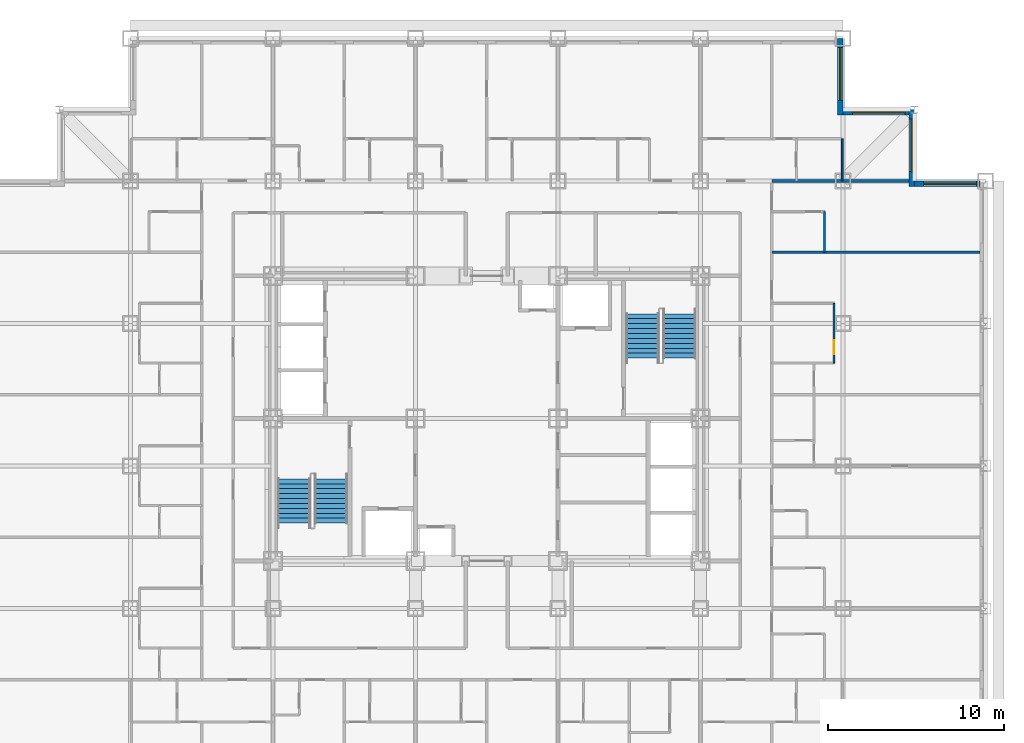
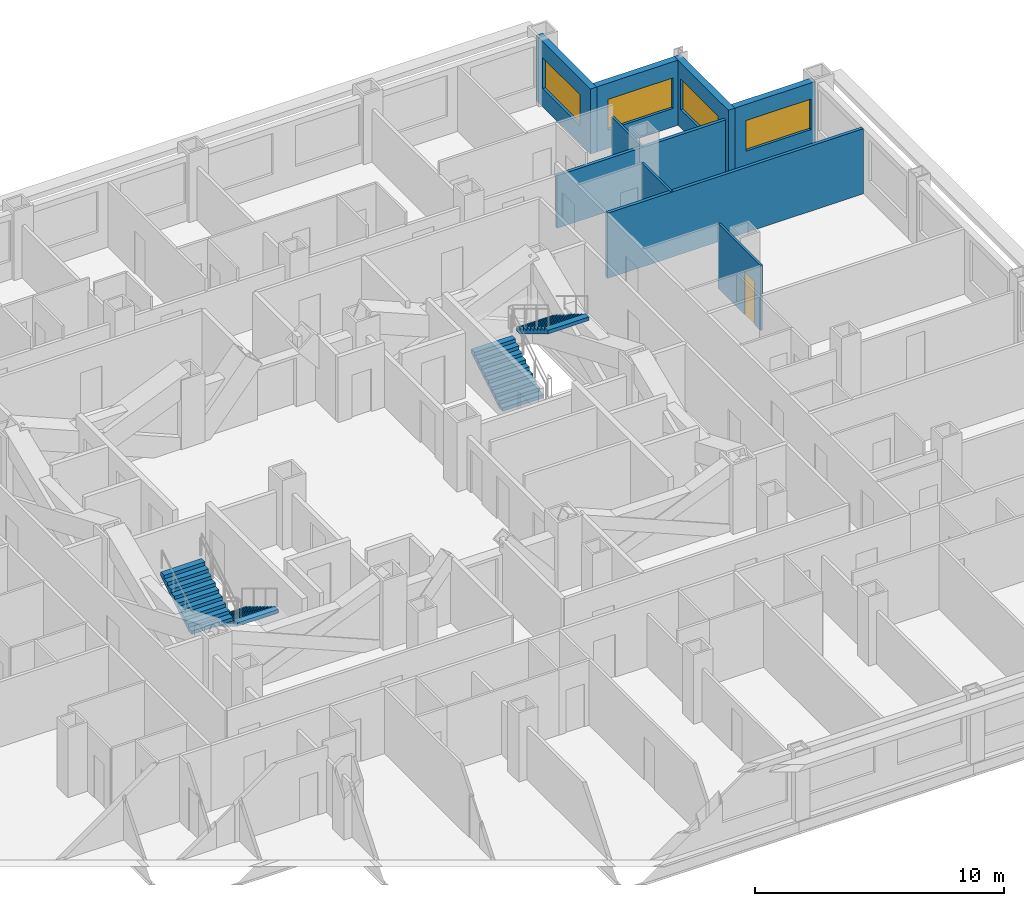
# One storey, part 11 of 12: 9 walls, 4 stair flights, 4 windows, 1 door, 5 openings, 2 elements without a shape of their own.
"""IFC4 building model written with IfcOpenShell, lengths in metres."""

from ifc_helpers import new_model, si_unit, direction, frame, frame_2d, origin, place, context, subcontext, project, spatial, rectangle, extrude, polygons, source, transform, mapped, material, layer, layer_set, type_object, element, fill, aggregate, save


model = new_model("IFC4")

# Units and contexts
model_context = context("Model", 3, precision=1e-05, world=origin(), true_north=direction((0.0, 1.0)))
body_context = subcontext(model_context, "Body", "Model", "MODEL_VIEW")
ifc_project = project(units=[si_unit("LENGTHUNIT", "METRE"), si_unit("AREAUNIT", "SQUARE_METRE"), si_unit("VOLUMEUNIT", "CUBIC_METRE"), si_unit("PLANEANGLEUNIT", "RADIAN"), si_unit("MASSUNIT", "GRAM", prefix="KILO")], contexts=[model_context])

# Site, building, storey
site_placement = place(None, origin())
site = spatial("IfcSite", under=ifc_project, at=site_placement, CompositionType="ELEMENT")
building_placement = place(site_placement, origin())
building = spatial("IfcBuilding", under=site, at=building_placement, Name="Kopane Lantern Tower", CompositionType="ELEMENT")
storey_placement = place(building_placement, frame((0.0, 0.0, 117.0)))
storey = spatial("IfcBuildingStorey", under=building, at=storey_placement, Name="L29", CompositionType="ELEMENT", Elevation=117.0)

# Wall, opening, door
ifc_material_1 = material(Name="Moisture-resistant board on steel studs", Category="steel")
ifc_layer_1 = layer(ifc_material_1, 0.10009765625)
ifc_layer_set_1 = layer_set([ifc_layer_1], Name="BATHROOM WALL 100")
wall_type_1 = type_object("IfcWallType", Name="BATHROOM WALL 100", PredefinedType="PARTITIONING", material=ifc_layer_set_1)
wall_1_placement = place(storey_placement, frame((48.090087890625, 35.550048828125, 0.0), z_axis=(0.0, 0.0, 1.0), x_axis=(0.0, 1.0, 0.0)))
wall_1 = element("IfcWall", 1, at=wall_1_placement, inside=storey, type_object=wall_type_1, Name="Bathroom Wall 100 L29", PredefinedType="PARTITIONING", context=body_context, shape_type="SweptSolid", body=[
    extrude(rectangle(XDim=3.39990234375, YDim=0.10009765625, at=frame_2d((1.699951171875, 0.0))), origin(), (0.0, 0.0, 1.0), 3.18994140625),
])
opening_1_placement = place(wall_1_placement, frame((0.5, 0.0, 0.0)))
opening_1 = element("IfcOpeningElement", 2, at=opening_1_placement, cuts=wall_1, Name="Opening L29-054", PredefinedType="OPENING", context=body_context, shape_type="SweptSolid", body=[
    extrude(rectangle(XDim=0.800048828125, YDim=2.10009765625, at=frame_2d((0.39990234375, 1.050048828125))), frame((0.0, 0.06005859375, 0.0), z_axis=(0.0, -1.0, 0.0), x_axis=(1.0, 0.0, 0.0)), (0.0, 0.0, 1.0), 0.1201171875),
])
ifc_material_2 = material(Name="Timber door set", Category="wood")
door_type = type_object("IfcDoorType", Name="DOOR D2 800x2100", OperationType="SINGLE_SWING_LEFT", PredefinedType="DOOR", material=ifc_material_2)
door_placement = place(opening_1_placement, origin())
door = element("IfcDoor", 3, at=door_placement, inside=storey, type_object=door_type, Name="Door L29-054", OperationType="SINGLE_SWING_LEFT", OverallHeight=2.10009765625, OverallWidth=0.800048828125, PredefinedType="DOOR", context=body_context, shape_type="SweptSolid", body=[
    extrude(rectangle(XDim=0.800048828125, YDim=2.10009765625, at=frame_2d((0.39990234375, 1.050048828125))), frame((0.0, 0.02490234375, 0.0), z_axis=(0.0, -1.0, 0.0), x_axis=(1.0, 0.0, 0.0)), (0.0, 0.0, 1.0), 0.050048828125),
])
fill(opening_1, door)

# Walls
wall_2_placement = place(storey_placement, frame((47.550048828125, 41.85009765625, 0.0), z_axis=(0.0, 0.0, 1.0), x_axis=(0.0, 1.0, 0.0)))
element("IfcWall", 4, at=wall_2_placement, inside=storey, type_object=wall_type_1, Name="Bathroom Wall 100 L29", PredefinedType="PARTITIONING", context=body_context, shape_type="SweptSolid", body=[
    extrude(rectangle(XDim=2.2998046875, YDim=0.10009765625, at=frame_2d((1.14990234375, 0.0))), origin(), (0.0, 0.0, 1.0), 3.18994140625),
])
wall_3_placement = place(storey_placement, frame((48.550048828125, 45.89990234375, 0.0), z_axis=(0.0, 0.0, 1.0), x_axis=(0.0, 1.0, 0.0)))
element("IfcWall", 5, at=wall_3_placement, inside=storey, type_object=wall_type_1, Name="Bathroom Wall 100 L29", PredefinedType="PARTITIONING", context=body_context, shape_type="SweptSolid", body=[
    extrude(rectangle(XDim=2.400146484375, YDim=0.10009765625, at=frame_2d((1.2001953125, 0.0))), origin(), (0.0, 0.0, 1.0), 2.577880859375),
])
ifc_material_3 = material(Name="Gypsum board on steel studs", Category="steel")
ifc_layer_2 = layer(ifc_material_3, 0.14990234375)
ifc_layer_set_2 = layer_set([ifc_layer_2], Name="DEMISING WALL 150 EI 60")
wall_type_2 = type_object("IfcWallType", Name="DEMISING WALL 150 EI 60", PredefinedType="PARTITIONING", material=ifc_layer_set_2)
wall_4_placement = place(storey_placement, frame((44.550048828125, 41.85009765625, 0.0), z_axis=(0.0, 0.0, 1.0), x_axis=(1.0, 0.0, 0.0)))
element("IfcWall", 6, at=wall_4_placement, inside=storey, type_object=wall_type_2, Name="Demising Wall 150 Ei 60 L29", PredefinedType="PARTITIONING", context=body_context, shape_type="SweptSolid", body=[
    extrude(rectangle(XDim=11.849853515625, YDim=0.14990234375, at=frame_2d((5.9248046875, 0.0))), origin(), (0.0, 0.0, 1.0), 3.18994140625),
])
wall_5_placement = place(storey_placement, frame((44.550048828125, 45.89990234375, 0.0), z_axis=(0.0, 0.0, 1.0), x_axis=(1.0, 0.0, 0.0)))
element("IfcWall", 7, at=wall_5_placement, inside=storey, type_object=wall_type_2, Name="Demising Wall 150 Ei 60 L29", PredefinedType="PARTITIONING", context=body_context, shape_type="SweptSolid", body=[
    extrude(rectangle(XDim=7.800048828125, YDim=0.14990234375, at=frame_2d((3.89990234375, 0.0))), origin(), (0.0, 0.0, 1.0), 2.577880859375),
])

# Wall, opening, window
ifc_material_4 = material(Name="Terracotta rainscreen on light steel framing", Category="masonry")
ifc_layer_3 = layer(ifc_material_4, 0.300048828125)
ifc_layer_set_3 = layer_set([ifc_layer_3], Name="EXTERNAL WALL EW1 300 TERRACOTTA")
wall_type_3 = type_object("IfcWallType", Name="EXTERNAL WALL EW1 300 TERRACOTTA", PredefinedType="SOLIDWALL", material=ifc_layer_set_3)
wall_6_placement = place(storey_placement, frame((56.39990234375, 45.75, 0.0), z_axis=(0.0, 0.0, 1.0), x_axis=(-1.0, 0.0, 0.0)))
wall_6 = element("IfcWall", 8, at=wall_6_placement, inside=storey, type_object=wall_type_3, Name="External wall N L29", PredefinedType="SOLIDWALL", context=body_context, shape_type="SweptSolid", body=[
    extrude(rectangle(XDim=3.75, YDim=0.300048828125, at=frame_2d((1.875, 0.0))), origin(), (0.0, 0.0, 1.0), 3.18994140625),
])
opening_2_placement = place(wall_6_placement, frame((0.22509765625, 0.0, 0.89990234375)))
opening_2 = element("IfcOpeningElement", 9, at=opening_2_placement, cuts=wall_6, Name="Opening WR300150", PredefinedType="OPENING", context=body_context, shape_type="SweptSolid", body=[
    extrude(rectangle(XDim=3.0, YDim=1.5, at=frame_2d((1.5, 0.75))), frame((0.0, 0.159912109375, 0.0), z_axis=(0.0, -1.0, 0.0), x_axis=(1.0, 0.0, 0.0)), (0.0, 0.0, 1.0), 0.320068359375),
])
ifc_material_5 = material(Name="Aluminium and clear glass", Category="aluminium")
window_type = type_object("IfcWindowType", Name="RIBBON WINDOW WR300150 3000x1500", PartitioningType="SINGLE_PANEL", PredefinedType="WINDOW", material=ifc_material_5)
window_1_placement = place(opening_2_placement, origin())
window_1 = element("IfcWindow", 10, at=window_1_placement, inside=storey, type_object=window_type, Name="Window N L29", OverallHeight=1.5, OverallWidth=3.0, PartitioningType="SINGLE_PANEL", PredefinedType="WINDOW", context=body_context, shape_type="SweptSolid", body=[
    extrude(rectangle(XDim=3.0, YDim=1.5, at=frame_2d((1.5, 0.75))), frame((0.0, 0.030029296875, 0.0), z_axis=(0.0, -1.0, 0.0), x_axis=(1.0, 0.0, 0.0)), (0.0, 0.0, 1.0), 0.06005859375),
])
fill(opening_2, window_1)

wall_7_placement = place(storey_placement, frame((52.5, 45.60009765625, 0.0), z_axis=(0.0, 0.0, 1.0), x_axis=(0.0, 1.0, 0.0)))
wall_7 = element("IfcWall", 11, at=wall_7_placement, inside=storey, type_object=wall_type_3, Name="External wall E L29", PredefinedType="SOLIDWALL", context=body_context, shape_type="SweptSolid", body=[
    extrude(rectangle(XDim=4.349853515625, YDim=0.300048828125, at=frame_2d((2.1748046875, 0.0))), origin(), (0.0, 0.0, 1.0), 3.18994140625),
])
opening_3_placement = place(wall_7_placement, frame((0.824951171875, 0.0, 0.89990234375)))
opening_3 = element("IfcOpeningElement", 12, at=opening_3_placement, cuts=wall_7, Name="Opening WR300150", PredefinedType="OPENING", context=body_context, shape_type="SweptSolid", body=[
    extrude(rectangle(XDim=3.0, YDim=1.5, at=frame_2d((1.5, 0.75))), frame((0.0, 0.159912109375, 0.0), z_axis=(0.0, -1.0, 0.0), x_axis=(1.0, 0.0, 0.0)), (0.0, 0.0, 1.0), 0.320068359375),
])
window_2_placement = place(opening_3_placement, origin())
window_2 = element("IfcWindow", 13, at=window_2_placement, inside=storey, type_object=window_type, Name="Window E L29", OverallHeight=1.5, OverallWidth=3.0, PartitioningType="SINGLE_PANEL", PredefinedType="WINDOW", context=body_context, shape_type="SweptSolid", body=[
    extrude(rectangle(XDim=3.0, YDim=1.5, at=frame_2d((1.5, 0.75))), frame((0.0, 0.030029296875, 0.0), z_axis=(0.0, -1.0, 0.0), x_axis=(1.0, 0.0, 0.0)), (0.0, 0.0, 1.0), 0.06005859375),
])
fill(opening_3, window_2)

wall_8_placement = place(storey_placement, frame((52.35009765625, 49.800048828125, 0.0), z_axis=(0.0, 0.0, 1.0), x_axis=(-1.0, 0.0, 0.0)))
wall_8 = element("IfcWall", 14, at=wall_8_placement, inside=storey, type_object=wall_type_3, Name="External wall N L29", PredefinedType="SOLIDWALL", context=body_context, shape_type="SweptSolid", body=[
    extrude(rectangle(XDim=3.75, YDim=0.300048828125, at=frame_2d((1.875, 0.0))), origin(), (0.0, 0.0, 1.0), 3.18994140625),
])
opening_4_placement = place(wall_8_placement, frame((0.22509765625, 0.0, 0.89990234375)))
opening_4 = element("IfcOpeningElement", 15, at=opening_4_placement, cuts=wall_8, Name="Opening WR300150", PredefinedType="OPENING", context=body_context, shape_type="SweptSolid", body=[
    extrude(rectangle(XDim=3.0, YDim=1.5, at=frame_2d((1.5, 0.75))), frame((0.0, 0.159912109375, 0.0), z_axis=(0.0, -1.0, 0.0), x_axis=(1.0, 0.0, 0.0)), (0.0, 0.0, 1.0), 0.320068359375),
])
window_3_placement = place(opening_4_placement, origin())
window_3 = element("IfcWindow", 16, at=window_3_placement, inside=storey, type_object=window_type, Name="Window N L29", OverallHeight=1.5, OverallWidth=3.0, PartitioningType="SINGLE_PANEL", PredefinedType="WINDOW", context=body_context, shape_type="SweptSolid", body=[
    extrude(rectangle(XDim=3.0, YDim=1.5, at=frame_2d((1.5, 0.75))), frame((0.0, 0.030029296875, 0.0), z_axis=(0.0, -1.0, 0.0), x_axis=(1.0, 0.0, 0.0)), (0.0, 0.0, 1.0), 0.06005859375),
])
fill(opening_4, window_3)

wall_9_placement = place(storey_placement, frame((48.449951171875, 49.64990234375, 0.0), z_axis=(0.0, 0.0, 1.0), x_axis=(0.0, 1.0, 0.0)))
wall_9 = element("IfcWall", 17, at=wall_9_placement, inside=storey, type_object=wall_type_3, Name="External wall E L29", PredefinedType="SOLIDWALL", context=body_context, shape_type="SweptSolid", body=[
    extrude(rectangle(XDim=4.35009765625, YDim=0.300048828125, at=frame_2d((2.175048828125, 0.0))), origin(), (0.0, 0.0, 1.0), 3.18994140625),
])
opening_5_placement = place(wall_9_placement, frame((0.824951171875, 0.0, 0.89990234375)))
opening_5 = element("IfcOpeningElement", 18, at=opening_5_placement, cuts=wall_9, Name="Opening WR300150", PredefinedType="OPENING", context=body_context, shape_type="SweptSolid", body=[
    extrude(rectangle(XDim=3.0, YDim=1.5, at=frame_2d((1.5, 0.75))), frame((0.0, 0.159912109375, 0.0), z_axis=(0.0, -1.0, 0.0), x_axis=(1.0, 0.0, 0.0)), (0.0, 0.0, 1.0), 0.320068359375),
])
window_4_placement = place(opening_5_placement, origin())
window_4 = element("IfcWindow", 19, at=window_4_placement, inside=storey, type_object=window_type, Name="Window E L29", OverallHeight=1.5, OverallWidth=3.0, PartitioningType="SINGLE_PANEL", PredefinedType="WINDOW", context=body_context, shape_type="SweptSolid", body=[
    extrude(rectangle(XDim=3.0, YDim=1.5, at=frame_2d((1.5, 0.75))), frame((0.0, 0.030029296875, 0.0), z_axis=(0.0, -1.0, 0.0), x_axis=(1.0, 0.0, 0.0)), (0.0, 0.0, 1.0), 0.06005859375),
])
fill(opening_5, window_4)

# Stair, stair flights
ifc_material_6 = material(Name="Steel S355JR", Category="steel")
stair_type = type_object("IfcStairType", Name="EXIT STAIR 1900 HALF TURN", PredefinedType="HALF_TURN_STAIR", material=ifc_material_6)
stair_1_placement = place(storey_placement, origin())
stair_1 = element("IfcStair", 20, at=stair_1_placement, inside=storey, type_object=stair_type, Name="Exit stair ST1 L29", PredefinedType="HALF_TURN_STAIR")
ifc_material_7 = material(Name="Steel S355JR", Category="steel")
stair_flight_type = type_object("IfcStairFlightType", Name="STAIR FLIGHT 1900 STEEL", PredefinedType="STRAIGHT", material=ifc_material_7)
shared_shape = source(origin(), body_context, "Body", "Tessellation", [
    polygons([(2.520019531, 0.949951172, 1.530029297), (2.239990234, 0.949951172, 1.530029297), (2.239990234, -0.949951172, 1.530029297), (2.520019531, -0.949951172, 1.530029297), (0.288818359, 0.949951172, 0.0), (2.520019531, 0.949951172, 1.354736328), (2.520019531, -0.949951172, 1.354736328), (0.288818359, -0.949951172, 0.0), (0.0, 0.949951172, 0.0), (0.0, -0.949951172, 0.0), (0.280029297, 0.949951172, 0.169921875), (0.0, 0.949951172, 0.169921875), (0.0, -0.949951172, 0.169921875), (0.280029297, -0.949951172, 0.169921875), (0.280029297, 0.949951172, 0.340087891), (0.280029297, -0.949951172, 0.340087891), (0.560058594, 0.949951172, 0.340087891), (0.560058594, -0.949951172, 0.340087891), (0.560058594, 0.949951172, 0.510009766), (0.560058594, -0.949951172, 0.510009766), (0.840087891, 0.949951172, 0.510009766), (0.840087891, -0.949951172, 0.510009766), (0.840087891, 0.949951172, 0.679931641), (0.840087891, -0.949951172, 0.679931641), (1.120117188, 0.949951172, 0.679931641), (1.120117188, -0.949951172, 0.679931641), (1.120117188, 0.949951172, 0.850097656), (1.120117188, -0.949951172, 0.850097656), (1.399902344, 0.949951172, 0.850097656), (1.399902344, -0.949951172, 0.850097656), (1.399902344, 0.949951172, 1.020019531), (1.399902344, -0.949951172, 1.020019531), (1.679931641, 0.949951172, 1.020019531), (1.679931641, -0.949951172, 1.020019531), (1.679931641, 0.949951172, 1.189941406), (1.679931641, -0.949951172, 1.189941406), (1.959960938, 0.949951172, 1.189941406), (1.959960938, -0.949951172, 1.189941406), (1.959960938, 0.949951172, 1.360107422), (1.959960938, -0.949951172, 1.360107422), (2.239990234, 0.949951172, 1.360107422), (2.239990234, -0.949951172, 1.360107422), (0.0, 0.0, 0.004592483), (0.0, 0.0, 0.009184966), (0.0, 0.0, 0.013777449), (0.0, 0.0, 0.018369932), (0.0, 0.0, 0.022962416), (0.0, 0.0, 0.027554899), (0.0, 0.0, 0.032147382), (0.0, 0.0, 0.036739865), (0.0, 0.0, 0.041332348), (0.0, 0.0, 0.045924831), (0.0, 0.0, 0.050517314), (0.0, 0.0, 0.055109797), (0.0, 0.0, 0.05970228), (0.0, 0.0, 0.064294764), (0.0, 0.0, 0.068887247), (0.0, 0.0, 0.07347973), (0.0, 0.0, 0.078072213), (0.0, 0.0, 0.082664696), (0.0, 0.0, 0.087257179), (0.0, 0.0, 0.091849662), (0.0, 0.0, 0.096442145), (0.0, 0.0, 0.101034628), (0.0, 0.0, 0.105627111), (0.0, 0.0, 0.110219595), (0.0, 0.0, 0.114812078), (0.0, 0.0, 0.119404561), (0.0, 0.0, 0.123997044), (0.0, 0.0, 0.128589527), (0.0, 0.0, 0.13318201), (0.0, 0.0, 0.137774493), (0.0, 0.0, 0.142366976), (0.0, 0.0, 0.146959459), (0.0, 0.0, 0.151551943), (0.0, 0.0, 0.156144426), (0.0, 0.0, 0.160736909), (0.0, 0.0, 0.165329392), (2.520019531, 0.0, 1.359473976), (2.520019531, 0.0, 1.364211624), (2.520019531, 0.0, 1.368949272), (2.520019531, 0.0, 1.373686919), (2.520019531, 0.0, 1.378424567), (2.520019531, 0.0, 1.383162215), (2.520019531, 0.0, 1.387899863), (2.520019531, 0.0, 1.392637511), (2.520019531, 0.0, 1.397375158), (2.520019531, 0.0, 1.402112806), (2.520019531, 0.0, 1.406850454), (2.520019531, 0.0, 1.411588102), (2.520019531, 0.0, 1.41632575), (2.520019531, 0.0, 1.421063397), (2.520019531, 0.0, 1.425801045), (2.520019531, 0.0, 1.430538693), (2.520019531, 0.0, 1.435276341), (2.520019531, 0.0, 1.440013989), (2.520019531, 0.0, 1.444751636), (2.520019531, 0.0, 1.449489284), (2.520019531, 0.0, 1.454226932), (2.520019531, 0.0, 1.45896458), (2.520019531, 0.0, 1.463702228), (2.520019531, 0.0, 1.468439875), (2.520019531, 0.0, 1.473177523), (2.520019531, 0.0, 1.477915171), (2.520019531, 0.0, 1.482652819), (2.520019531, 0.0, 1.487390467), (2.520019531, 0.0, 1.492128114), (2.520019531, 0.0, 1.496865762), (2.520019531, 0.0, 1.50160341), (2.520019531, 0.0, 1.506341058), (2.520019531, 0.0, 1.511078706), (2.520019531, 0.0, 1.515816353), (2.520019531, 0.0, 1.520554001), (2.520019531, 0.0, 1.525291649)], [[[1, 2, 3]], [[1, 3, 4]], [[5, 6, 7]], [[5, 7, 8]], [[9, 5, 8]], [[9, 8, 10]], [[11, 12, 13]], [[11, 13, 14]], [[15, 11, 14]], [[15, 14, 16]], [[17, 15, 16]], [[17, 16, 18]], [[19, 17, 18]], [[19, 18, 20]], [[21, 19, 20]], [[21, 20, 22]], [[23, 21, 22]], [[23, 22, 24]], [[25, 23, 24]], [[25, 24, 26]], [[27, 25, 26]], [[27, 26, 28]], [[29, 27, 28]], [[29, 28, 30]], [[31, 29, 30]], [[31, 30, 32]], [[33, 31, 32]], [[33, 32, 34]], [[35, 33, 34]], [[35, 34, 36]], [[37, 35, 36]], [[37, 36, 38]], [[39, 37, 38]], [[39, 38, 40]], [[41, 39, 40]], [[41, 40, 42]], [[2, 41, 42]], [[2, 42, 3]], [[41, 1, 6]], [[37, 41, 6]], [[2, 1, 41]], [[33, 37, 6]], [[39, 41, 37]], [[35, 37, 33]], [[31, 33, 29]], [[5, 21, 25]], [[27, 29, 25]], [[17, 21, 5]], [[23, 25, 21]], [[11, 17, 5]], [[19, 21, 17]], [[9, 11, 5]], [[15, 17, 11]], [[12, 11, 9]], [[6, 5, 25]], [[6, 25, 29]], [[6, 29, 33]], [[7, 4, 42]], [[7, 42, 38]], [[42, 4, 3]], [[7, 38, 34]], [[38, 42, 40]], [[34, 38, 36]], [[30, 34, 32]], [[26, 22, 8]], [[26, 30, 28]], [[8, 22, 18]], [[22, 26, 24]], [[8, 18, 14]], [[18, 22, 20]], [[8, 14, 10]], [[14, 18, 16]], [[10, 14, 13]], [[26, 8, 7]], [[30, 26, 7]], [[34, 30, 7]], [[10, 43, 9]], [[10, 44, 43]], [[9, 43, 44]], [[10, 45, 44]], [[9, 44, 45]], [[10, 46, 45]], [[9, 45, 46]], [[10, 47, 46]], [[9, 46, 47]], [[10, 48, 47]], [[9, 47, 48]], [[10, 49, 48]], [[9, 48, 49]], [[10, 50, 49]], [[9, 49, 50]], [[10, 51, 50]], [[9, 50, 51]], [[10, 52, 51]], [[9, 51, 52]], [[10, 53, 52]], [[9, 52, 53]], [[10, 54, 53]], [[9, 53, 54]], [[10, 55, 54]], [[9, 54, 55]], [[10, 56, 55]], [[9, 55, 56]], [[10, 57, 56]], [[9, 56, 57]], [[10, 58, 57]], [[9, 57, 58]], [[10, 59, 58]], [[9, 58, 59]], [[10, 60, 59]], [[9, 59, 60]], [[10, 61, 60]], [[9, 60, 61]], [[10, 62, 61]], [[9, 61, 62]], [[10, 63, 62]], [[9, 62, 63]], [[10, 64, 63]], [[9, 63, 64]], [[10, 65, 64]], [[9, 64, 65]], [[10, 66, 65]], [[9, 65, 66]], [[10, 67, 66]], [[9, 66, 67]], [[10, 68, 67]], [[9, 67, 68]], [[10, 69, 68]], [[9, 68, 69]], [[10, 70, 69]], [[9, 69, 70]], [[10, 71, 70]], [[9, 70, 71]], [[10, 72, 71]], [[9, 71, 72]], [[10, 73, 72]], [[9, 72, 73]], [[10, 74, 73]], [[9, 73, 74]], [[10, 75, 74]], [[9, 74, 75]], [[10, 76, 75]], [[9, 75, 76]], [[10, 77, 76]], [[9, 76, 77]], [[10, 78, 77]], [[9, 77, 78]], [[10, 13, 78]], [[78, 13, 12]], [[9, 78, 12]], [[7, 6, 79]], [[7, 79, 80]], [[6, 80, 79]], [[7, 80, 81]], [[6, 81, 80]], [[7, 81, 82]], [[6, 82, 81]], [[7, 82, 83]], [[6, 83, 82]], [[7, 83, 84]], [[6, 84, 83]], [[7, 84, 85]], [[6, 85, 84]], [[7, 85, 86]], [[6, 86, 85]], [[7, 86, 87]], [[6, 87, 86]], [[7, 87, 88]], [[6, 88, 87]], [[7, 88, 89]], [[6, 89, 88]], [[7, 89, 90]], [[6, 90, 89]], [[7, 90, 91]], [[6, 91, 90]], [[7, 91, 92]], [[6, 92, 91]], [[7, 92, 93]], [[6, 93, 92]], [[7, 93, 94]], [[6, 94, 93]], [[7, 94, 95]], [[6, 95, 94]], [[7, 95, 96]], [[6, 96, 95]], [[7, 96, 97]], [[6, 97, 96]], [[7, 97, 98]], [[6, 98, 97]], [[7, 98, 99]], [[6, 99, 98]], [[7, 99, 100]], [[6, 100, 99]], [[7, 100, 101]], [[6, 101, 100]], [[7, 101, 102]], [[6, 102, 101]], [[7, 102, 103]], [[6, 103, 102]], [[7, 103, 104]], [[6, 104, 103]], [[7, 104, 105]], [[6, 105, 104]], [[7, 105, 106]], [[6, 106, 105]], [[7, 106, 107]], [[6, 107, 106]], [[7, 107, 108]], [[6, 108, 107]], [[7, 108, 109]], [[6, 109, 108]], [[7, 109, 110]], [[6, 110, 109]], [[7, 110, 111]], [[6, 111, 110]], [[7, 111, 112]], [[6, 112, 111]], [[7, 112, 113]], [[6, 113, 112]], [[7, 113, 114]], [[6, 114, 113]], [[7, 114, 4]], [[114, 1, 4]], [[6, 1, 114]]], closed=True),
])
stair_flight_1_placement = place(storey_placement, frame((19.5, 28.969970703125, 0.0), z_axis=(0.0, 0.0, 1.0), x_axis=(0.0, -1.0, 0.0)))
stair_flight_1 = element("IfcStairFlight", 21, at=stair_flight_1_placement, type_object=stair_flight_type, Name="ST1 flight 1", NumberOfRisers=10, NumberOfTreads=9, PredefinedType="STRAIGHT", RiserHeight=0.17, TreadLength=0.28, context=body_context, shape_type="MappedRepresentation", body=[
    mapped(shared_shape, transform((0.0, 0.0, 0.0))),
])
stair_flight_2_placement = place(storey_placement, frame((17.39990234375, 26.449951171875, 1.699951171875), z_axis=(0.0, 0.0, 1.0), x_axis=(0.0, 1.0, 0.0)))
stair_flight_2 = element("IfcStairFlight", 22, at=stair_flight_2_placement, type_object=stair_flight_type, Name="ST1 flight 2", NumberOfRisers=10, NumberOfTreads=9, PredefinedType="STRAIGHT", RiserHeight=0.17, TreadLength=0.28, context=body_context, shape_type="MappedRepresentation", body=[
    mapped(shared_shape, transform((0.0, 0.0, 0.0))),
])
aggregate(stair_1, [stair_flight_1, stair_flight_2])

stair_2_placement = place(storey_placement, origin())
stair_2 = element("IfcStair", 23, at=stair_2_placement, inside=storey, type_object=stair_type, Name="Exit stair ST2 L29", PredefinedType="HALF_TURN_STAIR")
stair_flight_3_placement = place(storey_placement, frame((37.199951171875, 35.830078125, 0.0), z_axis=(0.0, 0.0, 1.0), x_axis=(0.0, 1.0, 0.0)))
stair_flight_3 = element("IfcStairFlight", 24, at=stair_flight_3_placement, type_object=stair_flight_type, Name="ST2 flight 1", NumberOfRisers=10, NumberOfTreads=9, PredefinedType="STRAIGHT", RiserHeight=0.17, TreadLength=0.28, context=body_context, shape_type="MappedRepresentation", body=[
    mapped(shared_shape, transform((0.0, 0.0, 0.0))),
])
stair_flight_4_placement = place(storey_placement, frame((39.300048828125, 38.35009765625, 1.699951171875), z_axis=(0.0, 0.0, 1.0), x_axis=(0.0, -1.0, 0.0)))
stair_flight_4 = element("IfcStairFlight", 25, at=stair_flight_4_placement, type_object=stair_flight_type, Name="ST2 flight 2", NumberOfRisers=10, NumberOfTreads=9, PredefinedType="STRAIGHT", RiserHeight=0.17, TreadLength=0.28, context=body_context, shape_type="MappedRepresentation", body=[
    mapped(shared_shape, transform((0.0, 0.0, 0.0))),
])
aggregate(stair_2, [stair_flight_3, stair_flight_4])

save(model, "model.ifc")
